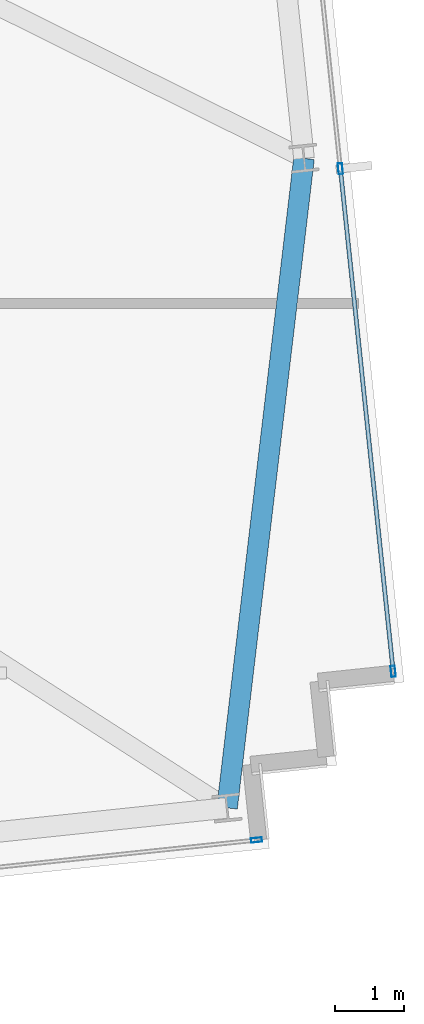
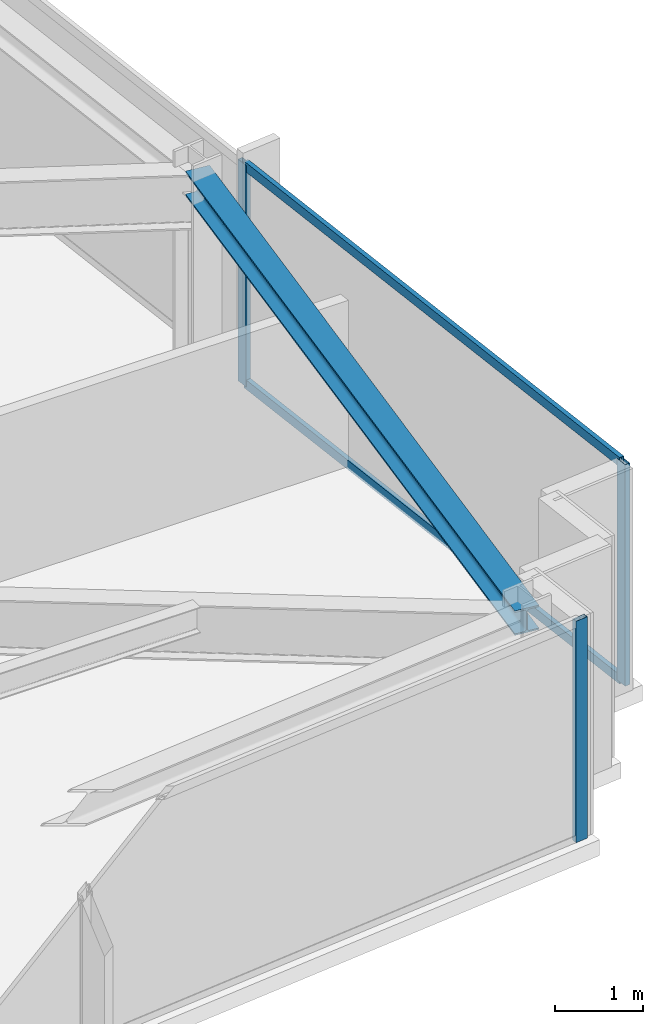
# One storey, part 17 of 33: 5 members, 1 beam, 2 elements without a shape of their own.
"""IFC4 building model written with IfcOpenShell, lengths in metres."""

from ifc_helpers import new_model, si_unit, direction, frame, origin, origin_2d, place, context, subcontext, project, spatial, hollow_rectangle, i_section, extrude, material, material_profile, profile_set, type_object, element, aggregate, save


model = new_model("IFC4")

# Units and contexts
model_context = context("Model", 3, precision=1e-05, world=origin(), true_north=direction((0.0, 1.0)))
body_context = subcontext(model_context, "Body", "Model", "MODEL_VIEW")
ifc_project = project(units=[si_unit("LENGTHUNIT", "METRE"), si_unit("AREAUNIT", "SQUARE_METRE"), si_unit("VOLUMEUNIT", "CUBIC_METRE"), si_unit("PLANEANGLEUNIT", "RADIAN"), si_unit("MASSUNIT", "GRAM", prefix="KILO")], contexts=[model_context])

# Site, building, storey
site_placement = place(None, origin())
site = spatial("IfcSite", under=ifc_project, at=site_placement, CompositionType="ELEMENT")
building_placement = place(site_placement, origin())
building = spatial("IfcBuilding", under=site, at=building_placement, Name="Yelkora Congress Tower", CompositionType="ELEMENT")
storey_placement = place(building_placement, frame((0.0, 0.0, 240.800048828125)))
storey = spatial("IfcBuildingStorey", under=building, at=storey_placement, Name="L67", CompositionType="ELEMENT", Elevation=240.800048828125)

# Beam
ifc_material_1 = material(Name="Steel S355J2", Category="steel")
ifc_material_profile_1 = material_profile(ifc_material_1, i_section(OverallWidth=0.300048828125, OverallDepth=0.340087890625, WebThickness=0.011962890625, FlangeThickness=0.021484375, FilletRadius=0.027099609375, at=origin_2d()), Name="HEB 340")
ifc_profile_set_1 = profile_set([ifc_material_profile_1], Name="Steel S355J2")
beam_type = type_object("IfcBeamType", Name="BM-SPAN-HEB340", PredefinedType="SPANDREL", material=ifc_profile_set_1)
beam_placement = place(storey_placement, frame((69.235107421875, 17.716796875, 2.909912109375), z_axis=(0.11765897357, 0.993054059928, 0.0), x_axis=(-0.993054059928, 0.11765897357, 0.0)))
element("IfcBeam", 1, at=beam_placement, inside=storey, type_object=beam_type, Name="L67 Perimeter Beam 9", PredefinedType="SPANDREL", context=body_context, shape_type="SweptSolid", body=[
    extrude(i_section(OverallWidth=0.300048828125, OverallDepth=0.340087890625, WebThickness=0.011962890625, FlangeThickness=0.021484375, FilletRadius=0.027099609375, at=origin_2d()), origin(), (0.0, 0.0, 1.0), 9.509765625),
])

# Curtain wall, members
ifc_material_2 = material(Name="Anodised aluminium and insulated glass", Category="aluminium")
curtain_wall_type = type_object("IfcCurtainWallType", Name="CW-SYS-B4", PredefinedType="NOTDEFINED", material=ifc_material_2)
curtain_wall_1_placement = place(storey_placement, origin())
curtain_wall_1 = element("IfcCurtainWall", 2, at=curtain_wall_1_placement, inside=storey, type_object=curtain_wall_type, Name="L67 Unitised Curtain Wall 15", PredefinedType="NOTDEFINED")
ifc_material_3 = material(Name="Anodised aluminium 6063-T6", Category="aluminium")
ifc_material_profile_2 = material_profile(ifc_material_3, hollow_rectangle(XDim=0.06494140625, YDim=0.159912109375, WallThickness=0.00390625, at=origin_2d()), Name="ALU 65x160x4")
ifc_profile_set_2 = profile_set([ifc_material_profile_2], Name="Anodised aluminium 6063-T6")
member_type_1 = type_object("IfcMemberType", Name="MEM-ML-B4", PredefinedType="MULLION", material=ifc_profile_set_2)
member_1_placement = place(storey_placement, frame((70.882568359375, 27.009765625, 0.0), z_axis=(0.0, 0.0, 1.0), x_axis=(0.994522182968, 0.104525726898, 0.0)))
member_1 = element("IfcMember", 3, at=member_1_placement, type_object=member_type_1, Name="CW-B4 mullion 4", PredefinedType="MULLION", context=body_context, shape_type="SweptSolid", body=[
    extrude(hollow_rectangle(XDim=0.06494140625, YDim=0.159912109375, WallThickness=0.00390625, at=origin_2d()), origin(), (0.0, 0.0, 1.0), 3.079833984375),
])
member_2_placement = place(storey_placement, frame((71.650634765625, 19.70263671875, 0.0), z_axis=(0.0, 0.0, 1.0), x_axis=(0.994522182968, 0.104525726898, 0.0)))
member_2 = element("IfcMember", 4, at=member_2_placement, type_object=member_type_1, Name="CW-B4 mullion 5", PredefinedType="MULLION", context=body_context, shape_type="SweptSolid", body=[
    extrude(hollow_rectangle(XDim=0.06494140625, YDim=0.159912109375, WallThickness=0.00390625, at=origin_2d()), origin(), (0.0, 0.0, 1.0), 3.079833984375),
])

# Curtain wall, member
curtain_wall_2_placement = place(storey_placement, origin())
curtain_wall_2 = element("IfcCurtainWall", 5, at=curtain_wall_2_placement, inside=storey, type_object=curtain_wall_type, Name="L67 Unitised Curtain Wall 20", PredefinedType="NOTDEFINED")
member_3_placement = place(storey_placement, frame((69.663818359375, 17.2490234375, 0.0), z_axis=(0.0, 0.0, 1.0), x_axis=(0.104526664994, -0.994522084373, 0.0)))
member_3 = element("IfcMember", 6, at=member_3_placement, type_object=member_type_1, Name="CW-B4 mullion 1", PredefinedType="MULLION", context=body_context, shape_type="SweptSolid", body=[
    extrude(hollow_rectangle(XDim=0.06494140625, YDim=0.159912109375, WallThickness=0.00390625, at=origin_2d()), origin(), (0.0, 0.0, 1.0), 3.079833984375),
])
aggregate(curtain_wall_2, [member_3])

# Member
ifc_material_profile_3 = material_profile(ifc_material_3, hollow_rectangle(XDim=0.06005859375, YDim=0.1298828125, WallThickness=0.00390625, at=origin_2d()), Name="ALU 60x130x4")
ifc_profile_set_3 = profile_set([ifc_material_profile_3], Name="Anodised aluminium 6063-T6")
member_type_2 = type_object("IfcMemberType", Name="MEM-TR-B4", PredefinedType="USERDEFINED", material=ifc_profile_set_3)
member_4_placement = place(storey_placement, frame((70.885986328125, 26.9775390625, 0.030029296875), z_axis=(0.104527725728, -0.994521972886, 0.0), x_axis=(0.994521972886, 0.104527725728, 0.0)))
member_4 = element("IfcMember", 7, at=member_4_placement, type_object=member_type_2, Name="CW-B4 transom 4.1", ObjectType="TRANSOM", PredefinedType="USERDEFINED", context=body_context, shape_type="SweptSolid", body=[
    extrude(hollow_rectangle(XDim=0.06005859375, YDim=0.1298828125, WallThickness=0.00390625, at=origin_2d()), origin(), (0.0, 0.0, 1.0), 7.282470703125),
])

member_5_placement = place(storey_placement, frame((70.885986328125, 26.9775390625, 3.050048828125), z_axis=(0.104527725728, -0.994521972886, 0.0), x_axis=(0.994521972886, 0.104527725728, 0.0)))
member_5 = element("IfcMember", 8, at=member_5_placement, type_object=member_type_2, Name="CW-B4 transom 4.2", ObjectType="TRANSOM", PredefinedType="USERDEFINED", context=body_context, shape_type="SweptSolid", body=[
    extrude(hollow_rectangle(XDim=0.06005859375, YDim=0.1298828125, WallThickness=0.00390625, at=origin_2d()), origin(), (0.0, 0.0, 1.0), 7.282470703125),
])

aggregate(curtain_wall_1, [member_1, member_2, member_4, member_5])

save(model, "model.ifc")
